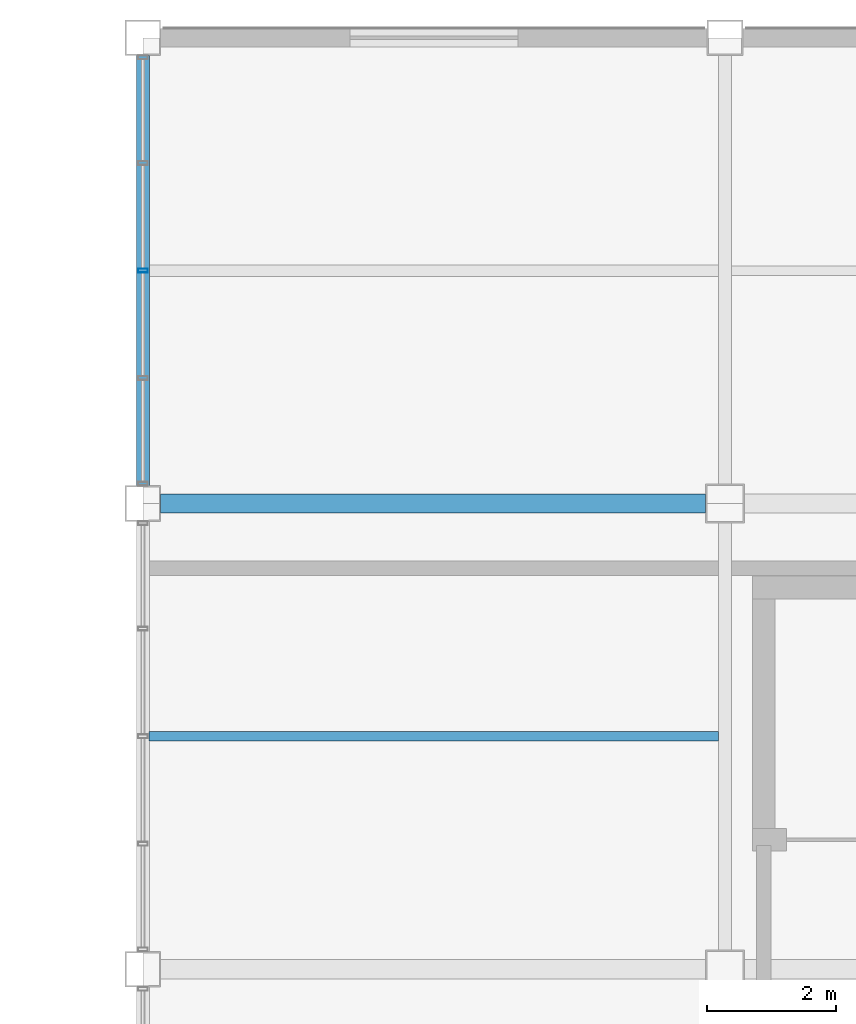
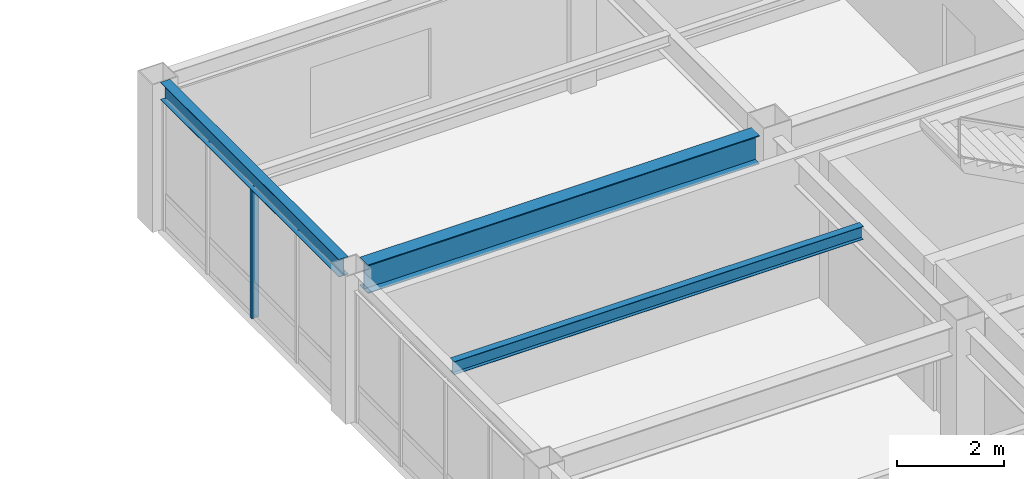
# One storey, part 24 of 43: 3 beams, 1 member, 1 element without a shape of its own.
"""IFC4 building model written with IfcOpenShell, lengths in metres."""

from ifc_helpers import new_model, si_unit, direction, frame, origin, origin_2d, place, context, subcontext, project, spatial, hollow_rectangle, i_section, extrude, material, material_profile, profile_set, type_object, element, aggregate, save


model = new_model("IFC4")

# Units and contexts
model_context = context("Model", 3, precision=1e-05, world=origin(), true_north=direction((0.0, 1.0)))
body_context = subcontext(model_context, "Body", "Model", "MODEL_VIEW")
ifc_project = project(units=[si_unit("LENGTHUNIT", "METRE"), si_unit("AREAUNIT", "SQUARE_METRE"), si_unit("VOLUMEUNIT", "CUBIC_METRE"), si_unit("PLANEANGLEUNIT", "RADIAN"), si_unit("MASSUNIT", "GRAM", prefix="KILO")], contexts=[model_context])

# Site, building, storey
site_placement = place(None, origin())
site = spatial("IfcSite", under=ifc_project, at=site_placement, CompositionType="ELEMENT")
building_placement = place(site_placement, origin())
building = spatial("IfcBuilding", under=site, at=building_placement, Name="Kazanami Central Library", CompositionType="ELEMENT")
storey_placement = place(building_placement, frame((0.0, 0.0, 20.60009765625)))
storey = spatial("IfcBuildingStorey", under=building, at=storey_placement, Name="L06", CompositionType="ELEMENT", Elevation=20.60009765625)

# Beams
ifc_material_1 = material(Name="Steel SN400B (235 MPa)", Category="steel")
ifc_material_profile_1 = material_profile(ifc_material_1, i_section(OverallWidth=0.14990234375, OverallDepth=0.300048828125, WebThickness=0.006591796875, FlangeThickness=0.009033203125, at=origin_2d()), Name="H-300x150x6.5x9")
ifc_profile_set_1 = profile_set([ifc_material_profile_1], Name="Steel SN400B (235 MPa)")
beam_type_1 = type_object("IfcBeamType", Name="BM-B-S4", PredefinedType="JOIST", material=ifc_profile_set_1)
beam_1_placement = place(storey_placement, frame((117.097900390625, 82.800048828125, 3.2099609375), z_axis=(1.0, 0.0, 0.0), x_axis=(0.0, 1.0, 0.0)))
element("IfcBeam", 1, at=beam_1_placement, inside=storey, type_object=beam_type_1, Name="Composite Secondary Joist B-S4 L06 Bay 14/M.1", PredefinedType="JOIST", context=body_context, shape_type="SweptSolid", body=[
    extrude(i_section(OverallWidth=0.14990234375, OverallDepth=0.300048828125, WebThickness=0.006591796875, FlangeThickness=0.009033203125, at=origin_2d()), origin(), (0.0, 0.0, 1.0), 8.80419921875),
])
ifc_material_2 = material(Name="Steel SN490B (325 MPa)", Category="steel")
ifc_material_profile_2 = material_profile(ifc_material_2, i_section(OverallWidth=0.300048828125, OverallDepth=0.64990234375, WebThickness=0.012939453125, FlangeThickness=0.02099609375, at=origin_2d()), Name="H-650x300x13x21")
ifc_profile_set_2 = profile_set([ifc_material_profile_2], Name="Steel SN490B (325 MPa)")
beam_type_2 = type_object("IfcBeamType", Name="BM-G-TR", PredefinedType="BEAM", material=ifc_profile_set_2)
beam_2_placement = place(storey_placement, frame((117.27294921875, 86.39990234375, 3.034912109375), z_axis=(1.0, 0.0, 0.0), x_axis=(0.0, 1.0, 0.0)))
element("IfcBeam", 2, at=beam_2_placement, inside=storey, type_object=beam_type_2, Name="Girder G-TR L06 N/14-15", PredefinedType="BEAM", context=body_context, shape_type="SweptSolid", body=[
    extrude(i_section(OverallWidth=0.300048828125, OverallDepth=0.64990234375, WebThickness=0.012939453125, FlangeThickness=0.02099609375, at=origin_2d()), origin(), (0.0, 0.0, 1.0), 8.428955078125),
])
ifc_material_profile_3 = material_profile(ifc_material_2, i_section(OverallWidth=0.199951171875, OverallDepth=0.39990234375, WebThickness=0.008056640625, FlangeThickness=0.012939453125, at=origin_2d()), Name="H-400x200x8x13")
ifc_profile_set_3 = profile_set([ifc_material_profile_3], Name="Steel SN490B (325 MPa)")
beam_type_3 = type_object("IfcBeamType", Name="BM-SP-3", PredefinedType="SPANDREL", material=ifc_profile_set_3)
beam_3_placement = place(storey_placement, frame((117.0, 86.673095703125, 3.159912109375), z_axis=(0.0, 1.0, 0.0), x_axis=(-1.0, 0.0, 0.0)))
element("IfcBeam", 3, at=beam_3_placement, inside=storey, type_object=beam_type_3, Name="Girder SP-3 L06 14/N-O", PredefinedType="SPANDREL", context=body_context, shape_type="SweptSolid", body=[
    extrude(i_section(OverallWidth=0.199951171875, OverallDepth=0.39990234375, WebThickness=0.008056640625, FlangeThickness=0.012939453125, at=origin_2d()), origin(), (0.0, 0.0, 1.0), 6.65380859375),
])

# Curtain wall, member
ifc_material_3 = material(Name="Acid-Etched Low-E Laminated Glass", Category="glass")
curtain_wall_type = type_object("IfcCurtainWallType", Name="CW-6650x2960-M180", PredefinedType="USERDEFINED", material=ifc_material_3)
curtain_wall_placement = place(storey_placement, origin())
curtain_wall = element("IfcCurtainWall", 4, at=curtain_wall_placement, inside=storey, type_object=curtain_wall_type, Name="Covered Link Bridge Curtain Wall CW-59 L06 W-14-12", ObjectType="UNITISED CURTAIN WALL", PredefinedType="USERDEFINED")
ifc_material_4 = material(Name="Anodised Aluminium A6063-T5", Category="aluminium")
ifc_material_profile_4 = material_profile(ifc_material_4, hollow_rectangle(XDim=0.06005859375, YDim=0.14990234375, WallThickness=0.00390625, at=origin_2d()), Name="ALU-MULL-60x150x4")
ifc_profile_set_4 = profile_set([ifc_material_profile_4], Name="Anodised Aluminium A6063-T5")
member_type = type_object("IfcMemberType", Name="MEM-CW-M3", PredefinedType="MULLION", material=ifc_profile_set_4)
member_placement = place(storey_placement, frame((117.0, 90.0, 0.0), z_axis=(0.0, 0.0, 1.0), x_axis=(0.0, 1.0, 0.0)))
member = element("IfcMember", 5, at=member_placement, type_object=member_type, Name="CW-59 mullion 3", PredefinedType="MULLION", context=body_context, shape_type="SweptSolid", body=[
    extrude(hollow_rectangle(XDim=0.06005859375, YDim=0.14990234375, WallThickness=0.00390625, at=origin_2d()), origin(), (0.0, 0.0, 1.0), 2.9599609375),
])
aggregate(curtain_wall, [member])

save(model, "model.ifc")
